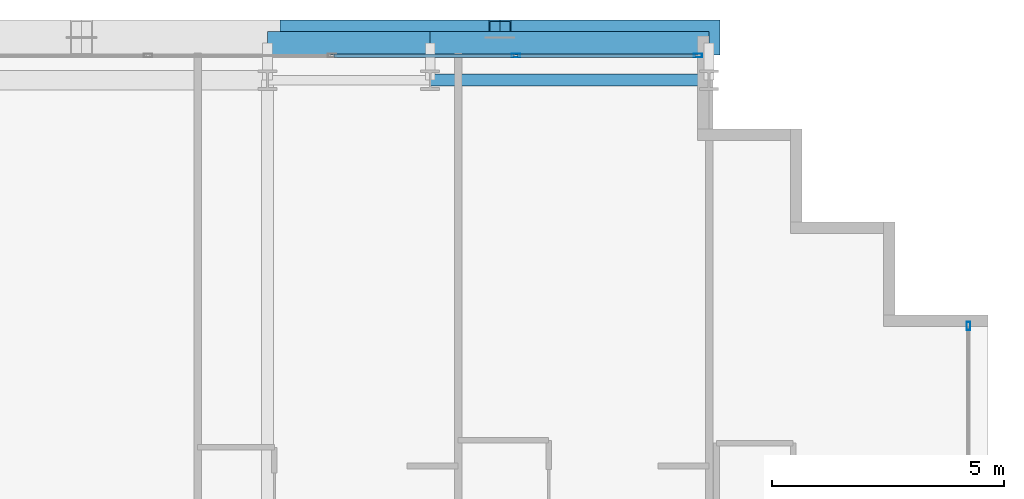
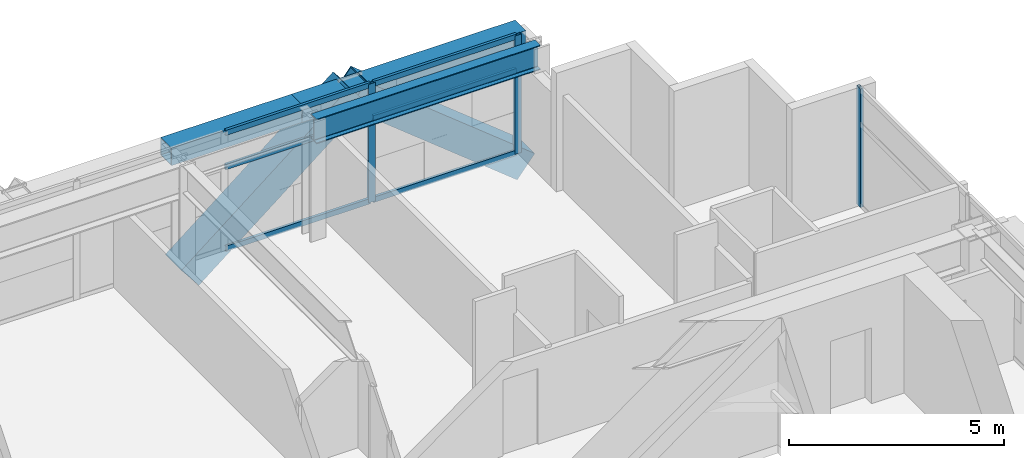
# One storey, part 25 of 39: 11 members, 3 beams, 2 elements without a shape of their own.
"""IFC4 building model written with IfcOpenShell, lengths in metres."""

from ifc_helpers import new_model, si_unit, direction, frame, origin, origin_2d, place, context, subcontext, project, spatial, hollow_rectangle, i_section, extrude, source, transform, mapped, material, layer, layer_set, material_profile, profile_set, type_object, element, aggregate, save


model = new_model("IFC4")

# Units and contexts
model_context = context("Model", 3, precision=1e-05, world=origin(), true_north=direction((0.0, 1.0)))
body_context = subcontext(model_context, "Body", "Model", "MODEL_VIEW")
ifc_project = project(units=[si_unit("LENGTHUNIT", "METRE"), si_unit("AREAUNIT", "SQUARE_METRE"), si_unit("VOLUMEUNIT", "CUBIC_METRE"), si_unit("PLANEANGLEUNIT", "RADIAN"), si_unit("MASSUNIT", "GRAM", prefix="KILO")], contexts=[model_context])

# Site, building, storey
site_placement = place(None, origin())
site = spatial("IfcSite", under=ifc_project, at=site_placement, CompositionType="ELEMENT")
building_placement = place(site_placement, origin())
building = spatial("IfcBuilding", under=site, at=building_placement, Name="Ocotamira Hotel", CompositionType="ELEMENT")
storey_placement = place(building_placement, frame((0.0, 0.0, 126.0)))
storey = spatial("IfcBuildingStorey", under=building, at=storey_placement, Name="L31", CompositionType="ELEMENT", Elevation=126.0)

# Beams
ifc_material_1 = material(Name="Steel ASTM A992 Grade 50", Category="steel")
ifc_material_profile_1 = material_profile(ifc_material_1, i_section(OverallWidth=0.256103515625, OverallDepth=0.693115234375, WebThickness=0.014404296875, FlangeThickness=0.023681640625, FilletRadius=0.01611328125, at=origin_2d()), Name="W27X114")
ifc_profile_set_1 = profile_set([ifc_material_profile_1], Name="Steel ASTM A992 Grade 50")
beam_type_1 = type_object("IfcBeamType", Name="BM-PRIM-W27X114", PredefinedType="BEAM", material=ifc_profile_set_1)
shared_shape_1 = source(origin(), body_context, "Body", "SweptSolid", [
    extrude(i_section(OverallWidth=0.256103515625, OverallDepth=0.693115234375, WebThickness=0.014404296875, FlangeThickness=0.023681640625, FilletRadius=0.01611328125, at=origin_2d()), origin(), (0.0, 0.0, 1.0), 6.0),
])
beam_1_placement = place(storey_placement, frame((44.0, 49.050048828125, 3.013427734375), z_axis=(1.0, 0.0, 0.0), x_axis=(0.0, 1.0, 0.0)))
element("IfcBeam", 1, at=beam_1_placement, inside=storey, type_object=beam_type_1, Name="L31 Girder Y49.05 X44-50", PredefinedType="BEAM", context=body_context, shape_type="MappedRepresentation", body=[
    mapped(shared_shape_1, transform((0.0, 0.0, 0.0), scale=1.0)),
])
ifc_material_2 = material(Name="Steel ASTM A500 Grade C", Category="steel")
ifc_material_profile_2 = material_profile(ifc_material_2, hollow_rectangle(XDim=0.5, YDim=0.5, WallThickness=0.02001953125, at=origin_2d()), Name="HSS500X500X20")
ifc_profile_set_2 = profile_set([ifc_material_profile_2], Name="Steel ASTM A500 Grade C")
beam_type_2 = type_object("IfcBeamType", Name="BM-SPAN-HSS500", PredefinedType="USERDEFINED", material=ifc_profile_set_2)
shared_shape_2 = source(origin(), body_context, "Body", "SweptSolid", [
    extrude(hollow_rectangle(XDim=0.5, YDim=0.5, WallThickness=0.02001953125, at=origin_2d()), origin(), (0.0, 0.0, 1.0), 6.0),
])
beam_2_placement = place(storey_placement, frame((44.0, 49.85009765625, 3.110107421875), z_axis=(1.0, 0.0, 0.0), x_axis=(0.0, 1.0, 0.0)))
element("IfcBeam", 2, at=beam_2_placement, inside=storey, type_object=beam_type_2, Name="L31 Edge Spandrel N X44-50", ObjectType="SPANDREL", PredefinedType="USERDEFINED", context=body_context, shape_type="MappedRepresentation", body=[
    mapped(shared_shape_2, transform((0.0, 0.0, 0.0), scale=1.0)),
])
shared_shape_3 = source(origin(), body_context, "Body", "SweptSolid", [
    extrude(hollow_rectangle(XDim=0.5, YDim=0.5, WallThickness=0.02001953125, at=origin_2d()), origin(), (0.0, 0.0, 1.0), 3.5),
])
beam_3_placement = place(storey_placement, frame((40.5, 49.85009765625, 3.110107421875), z_axis=(1.0, 0.0, 0.0), x_axis=(0.0, 1.0, 0.0)))
element("IfcBeam", 3, at=beam_3_placement, inside=storey, type_object=beam_type_2, Name="L31 Edge Spandrel N X40.5-44", ObjectType="SPANDREL", PredefinedType="USERDEFINED", context=body_context, shape_type="MappedRepresentation", body=[
    mapped(shared_shape_3, transform((0.0, 0.0, 0.0), scale=1.0)),
])

# Members
ifc_material_3 = material(Name="Pale-metal coated steel ASTM A913 Grade 65", Category="steel")
ifc_material_profile_3 = material_profile(ifc_material_3, hollow_rectangle(XDim=0.75, YDim=0.75, WallThickness=0.028076171875, at=origin_2d()), Name="BOX750X750X28")
ifc_profile_set_3 = profile_set([ifc_material_profile_3], Name="Pale-metal coated steel ASTM A913 Grade 65")
member_type_1 = type_object("IfcMemberType", Name="MEM-EXO-BOX750", PredefinedType="BRACE", material=ifc_profile_set_3)
shared_shape_4 = source(origin(), body_context, "Body", "SweptSolid", [
    extrude(hollow_rectangle(XDim=0.75, YDim=0.75, WallThickness=0.028076171875, at=origin_2d()), origin(), (0.0, 0.0, 1.0), 5.762939453125),
])
for number, where, z_axis, x_axis, name in (
    (4, (41.0, 49.969970703125, -0.489990234375), (0.780860543151, 0.0, 0.624705380279), (0.0, 1.0, 0.0), "L31 Exoskeleton Diagrid N3.1"),
    (5, (50.0, 49.969970703125, -0.489990234375), (-0.780860543151, 0.0, 0.624705380279), (0.0, -1.0, 0.0), "L31 Exoskeleton Diagrid N3.2"),
):
    element("IfcMember", number, at=place(storey_placement, frame(where, z_axis=z_axis, x_axis=x_axis)), inside=storey, type_object=member_type_1, Name=name, PredefinedType="BRACE", context=body_context, shape_type="MappedRepresentation", body=[
        mapped(shared_shape_4, transform((0.0, 0.0, 0.0), scale=1.0)),
    ])

# Curtain wall, members
ifc_material_4 = material(Name="Anodised pale-metal aluminium and solar glass", Category="aluminium")
ifc_layer = layer(ifc_material_4, 0.179931640625)
ifc_layer_set = layer_set([ifc_layer], Name="Anodised pale-metal aluminium and solar glass")
curtain_wall_type = type_object("IfcCurtainWallType", Name="CW-SYS3-Z2", PredefinedType="NOTDEFINED", material=ifc_layer_set)
curtain_wall_1_placement = place(storey_placement, origin())
curtain_wall_1 = element("IfcCurtainWall", 6, at=curtain_wall_1_placement, inside=storey, type_object=curtain_wall_type, Name="L31 Curtain Wall CW-3 CW-L31-N", PredefinedType="NOTDEFINED")
ifc_material_5 = material(Name="Anodised pale-metal aluminium 6063-T6", Category="aluminium")
ifc_material_profile_4 = material_profile(ifc_material_5, hollow_rectangle(XDim=0.074951171875, YDim=0.14990234375, WallThickness=0.006103515625, at=origin_2d()), Name="HSS150X75X6")
ifc_profile_set_4 = profile_set([ifc_material_profile_4], Name="Anodised pale-metal aluminium 6063-T6")
member_type_2 = type_object("IfcMemberType", Name="CWT-150X75", PredefinedType="USERDEFINED", material=ifc_profile_set_4)
shared_shape_5 = source(origin(), body_context, "Body", "SweptSolid", [
    extrude(hollow_rectangle(XDim=0.074951171875, YDim=0.14990234375, WallThickness=0.006103515625, at=origin_2d()), origin(), (0.0, 0.0, 1.0), 3.83544921875),
])
member_1_placement = place(storey_placement, frame((45.884521484375, 49.580078125, 0.03759765625), z_axis=(1.0, 0.0, 0.0), x_axis=(0.0, 1.0, 0.0)))
member_1 = element("IfcMember", 7, at=member_1_placement, type_object=member_type_2, Name="CW-3 transom 9.1", ObjectType="TRANSOM", PredefinedType="USERDEFINED", context=body_context, shape_type="MappedRepresentation", body=[
    mapped(shared_shape_5, transform((0.0, 0.0, 0.0), scale=1.0)),
])
member_2_placement = place(storey_placement, frame((45.884521484375, 49.580078125, 2.35009765625), z_axis=(1.0, 0.0, 0.0), x_axis=(0.0, 1.0, 0.0)))
member_2 = element("IfcMember", 8, at=member_2_placement, type_object=member_type_2, Name="CW-3 transom 9.2", ObjectType="TRANSOM", PredefinedType="USERDEFINED", context=body_context, shape_type="MappedRepresentation", body=[
    mapped(shared_shape_5, transform((0.0, 0.0, 0.0), scale=1.0)),
])
member_3_placement = place(storey_placement, frame((45.884521484375, 49.580078125, 3.322509765625), z_axis=(1.0, 0.0, 0.0), x_axis=(0.0, 1.0, 0.0)))
member_3 = element("IfcMember", 9, at=member_3_placement, type_object=member_type_2, Name="CW-3 transom 9.3", ObjectType="TRANSOM", PredefinedType="USERDEFINED", context=body_context, shape_type="MappedRepresentation", body=[
    mapped(shared_shape_5, transform((0.0, 0.0, 0.0), scale=1.0)),
])
shared_shape_6 = source(origin(), body_context, "Body", "SweptSolid", [
    extrude(hollow_rectangle(XDim=0.074951171875, YDim=0.14990234375, WallThickness=0.006103515625, at=origin_2d()), origin(), (0.0, 0.0, 1.0), 3.87548828125),
])
member_4_placement = place(storey_placement, frame((41.928955078125, 49.580078125, 0.03759765625), z_axis=(1.0, 0.0, 0.0), x_axis=(0.0, 1.0, 0.0)))
member_4 = element("IfcMember", 10, at=member_4_placement, type_object=member_type_2, Name="CW-3 transom 8.1", ObjectType="TRANSOM", PredefinedType="USERDEFINED", context=body_context, shape_type="MappedRepresentation", body=[
    mapped(shared_shape_6, transform((0.0, 0.0, 0.0), scale=1.0)),
])
member_5_placement = place(storey_placement, frame((41.928955078125, 49.580078125, 2.35009765625), z_axis=(1.0, 0.0, 0.0), x_axis=(0.0, 1.0, 0.0)))
member_5 = element("IfcMember", 11, at=member_5_placement, type_object=member_type_2, Name="CW-3 transom 8.2", ObjectType="TRANSOM", PredefinedType="USERDEFINED", context=body_context, shape_type="MappedRepresentation", body=[
    mapped(shared_shape_6, transform((0.0, 0.0, 0.0), scale=1.0)),
])
member_6_placement = place(storey_placement, frame((41.928955078125, 49.580078125, 3.322509765625), z_axis=(1.0, 0.0, 0.0), x_axis=(0.0, 1.0, 0.0)))
member_6 = element("IfcMember", 12, at=member_6_placement, type_object=member_type_2, Name="CW-3 transom 8.3", ObjectType="TRANSOM", PredefinedType="USERDEFINED", context=body_context, shape_type="MappedRepresentation", body=[
    mapped(shared_shape_6, transform((0.0, 0.0, 0.0), scale=1.0)),
])
ifc_material_profile_5 = material_profile(ifc_material_5, hollow_rectangle(XDim=0.080078125, YDim=0.179931640625, WallThickness=0.006103515625, at=origin_2d()), Name="HSS180X80X6")
ifc_profile_set_5 = profile_set([ifc_material_profile_5], Name="Anodised pale-metal aluminium 6063-T6")
member_type_3 = type_object("IfcMemberType", Name="CWM-180X75", PredefinedType="MULLION", material=ifc_profile_set_5)
shared_shape_7 = source(origin(), body_context, "Body", "SweptSolid", [
    extrude(hollow_rectangle(XDim=0.080078125, YDim=0.179931640625, WallThickness=0.006103515625, at=origin_2d()), origin(), (0.0, 0.0, 1.0), 3.360107421875),
])
member_7_placement = place(storey_placement, frame((45.844482421875, 49.580078125, 0.0), z_axis=(0.0, 0.0, 1.0), x_axis=(0.0, 1.0, 0.0)))
member_7 = element("IfcMember", 13, at=member_7_placement, type_object=member_type_3, Name="CW-3 mullion 9", PredefinedType="MULLION", context=body_context, shape_type="MappedRepresentation", body=[
    mapped(shared_shape_7, transform((0.0, 0.0, 0.0), scale=1.0)),
])
member_8_placement = place(storey_placement, frame((49.760009765625, 49.580078125, 0.0), z_axis=(0.0, 0.0, 1.0), x_axis=(0.0, 1.0, 0.0)))
member_8 = element("IfcMember", 14, at=member_8_placement, type_object=member_type_3, Name="CW-3 mullion 10", PredefinedType="MULLION", context=body_context, shape_type="MappedRepresentation", body=[
    mapped(shared_shape_7, transform((0.0, 0.0, 0.0), scale=1.0)),
])
aggregate(curtain_wall_1, [member_7, member_8, member_4, member_5, member_6, member_1, member_2, member_3])

# Curtain wall, member
curtain_wall_2_placement = place(storey_placement, origin())
curtain_wall_2 = element("IfcCurtainWall", 15, at=curtain_wall_2_placement, inside=storey, type_object=curtain_wall_type, Name="L31 Curtain Wall CW-3 CW-L31-E", PredefinedType="NOTDEFINED")
member_9_placement = place(storey_placement, frame((55.580078125, 43.760009765625, 0.0), z_axis=(0.0, 0.0, 1.0), x_axis=(-1.0, 0.0, 0.0)))
member_9 = element("IfcMember", 16, at=member_9_placement, type_object=member_type_3, Name="CW-3 mullion 8", PredefinedType="MULLION", context=body_context, shape_type="MappedRepresentation", body=[
    mapped(shared_shape_7, transform((0.0, 0.0, 0.0), scale=1.0)),
])
aggregate(curtain_wall_2, [member_9])

save(model, "model.ifc")
